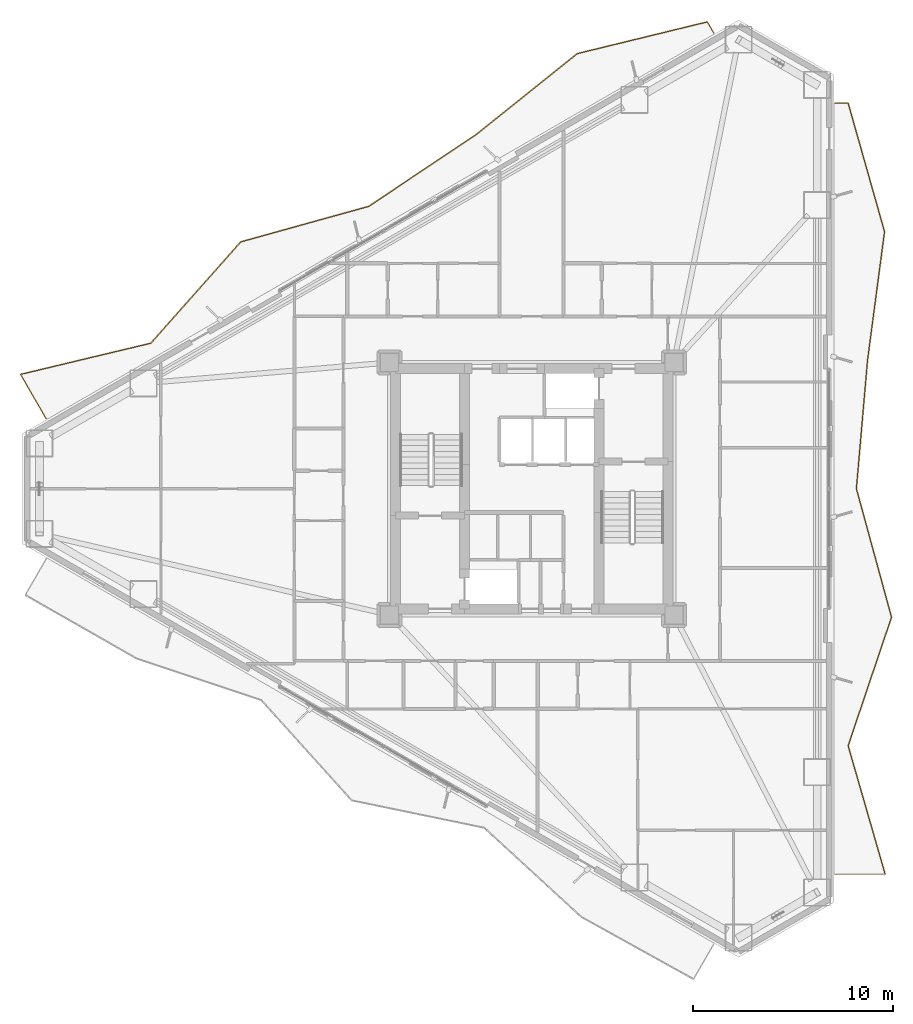
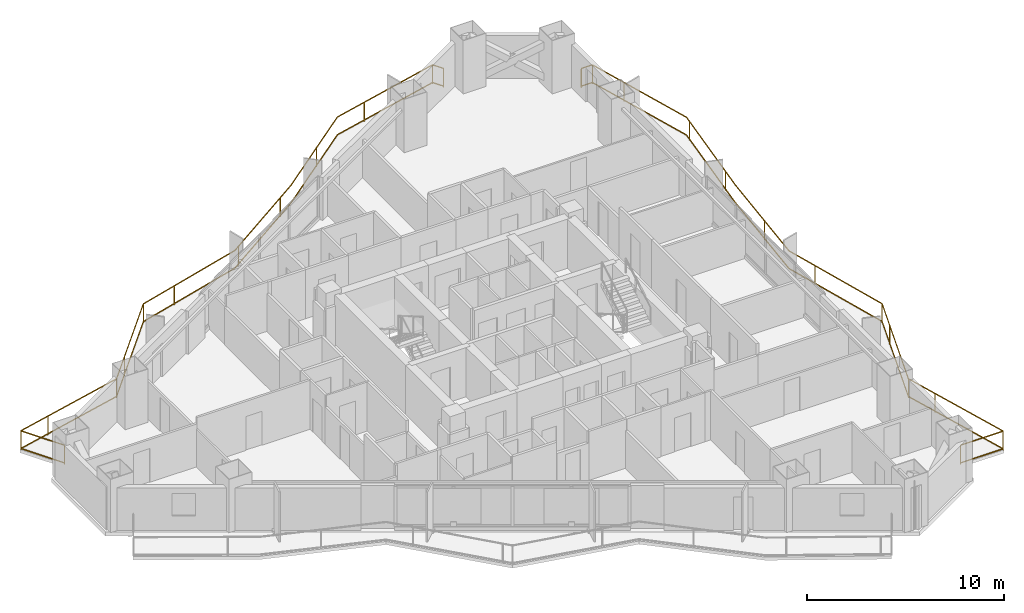
# One storey, part 19 of 19: 2 railings.
"""IFC4 building model written with IfcOpenShell, lengths in metres."""

from ifc_helpers import new_model, si_unit, direction, frame, origin, origin_2d, place, context, subcontext, project, spatial, rectangle, extrude, material, type_object, element, save


model = new_model("IFC4")

# Units and contexts
model_context = context("Model", 3, precision=1e-05, world=origin(), true_north=direction((0.0, 1.0)))
body_context = subcontext(model_context, "Body", "Model", "MODEL_VIEW")
ifc_project = project(units=[si_unit("LENGTHUNIT", "METRE"), si_unit("AREAUNIT", "SQUARE_METRE"), si_unit("VOLUMEUNIT", "CUBIC_METRE"), si_unit("PLANEANGLEUNIT", "RADIAN"), si_unit("MASSUNIT", "GRAM", prefix="KILO")], contexts=[model_context])

# Site, building, storey
site_placement = place(None, origin())
site = spatial("IfcSite", under=ifc_project, at=site_placement, CompositionType="ELEMENT")
building_placement = place(site_placement, origin())
building = spatial("IfcBuilding", under=site, at=building_placement, Name="Mersakhor Tower and Convention Hall", CompositionType="ELEMENT")
storey_placement = place(building_placement, frame((0.0, 0.0, 42.300048828125)))
storey = spatial("IfcBuildingStorey", under=building, at=storey_placement, Name="L11", CompositionType="ELEMENT", Elevation=42.300048828125)

# Railings
ifc_material = material(Name="Powder-coated galvanised steel and laminated glass balustrade", Category="steel")
railing_type = type_object("IfcRailingType", Name="RL-BAL-1200", PredefinedType="BALUSTRADE", material=ifc_material)
railing_1_placement = place(storey_placement, frame((38.099609375, 49.497314453125, 0.0)))
element("IfcRailing", 1, at=railing_1_placement, inside=storey, type_object=railing_type, Name="L11 Sinusoidal Balcony Balustrade F1", PredefinedType="BALUSTRADE", context=body_context, shape_type="SweptSolid", body=[
    extrude(rectangle(XDim=0.048095703125, YDim=0.048095703125, at=origin_2d()), frame((0.0, 0.0, 1.17578125), z_axis=(-0.50017749597, 0.865922902183, 0.0), x_axis=(-0.865922902183, -0.50017749597, 0.0)), (0.0, 0.0, 1.0), 0.650146484375),
    extrude(rectangle(XDim=0.048095703125, YDim=0.048095703125, at=origin_2d()), frame((0.0, 0.0, 0.080078125), z_axis=(-0.50017749597, 0.865922902183, 0.0), x_axis=(-0.865922902183, -0.50017749597, 0.0)), (0.0, 0.0, 1.0), 0.650146484375),
    extrude(rectangle(XDim=0.048095703125, YDim=0.048095703125, at=origin_2d()), frame((-0.3251953125, 0.56298828125, 1.17578125), z_axis=(-0.971480551732, -0.237119247649, 0.0), x_axis=(0.237119247649, -0.971480551732, 0.0)), (0.0, 0.0, 1.0), 6.686279296875),
    extrude(rectangle(XDim=0.048095703125, YDim=0.048095703125, at=origin_2d()), frame((-0.3251953125, 0.56298828125, 0.080078125), z_axis=(-0.971480551732, -0.237119247649, 0.0), x_axis=(0.237119247649, -0.971480551732, 0.0)), (0.0, 0.0, 1.0), 6.686279296875),
    extrude(rectangle(XDim=0.048095703125, YDim=0.048095703125, at=origin_2d()), frame((-6.82080078125, -1.0224609375, 1.17578125), z_axis=(-0.780600917965, -0.625029764789, 0.0), x_axis=(0.625029764789, -0.780600917965, 0.0)), (0.0, 0.0, 1.0), 6.4921875),
    extrude(rectangle(XDim=0.048095703125, YDim=0.048095703125, at=origin_2d()), frame((-6.82080078125, -1.0224609375, 0.080078125), z_axis=(-0.780600917965, -0.625029764789, 0.0), x_axis=(0.625029764789, -0.780600917965, 0.0)), (0.0, 0.0, 1.0), 6.4921875),
    extrude(rectangle(XDim=0.048095703125, YDim=0.048095703125, at=origin_2d()), frame((-11.888671875, -5.080322265625, 1.17578125), z_axis=(-0.831816620798, -0.555050546676, 0.0), x_axis=(0.555050546676, -0.831816620798, 0.0)), (0.0, 0.0, 1.0), 6.431640625),
    extrude(rectangle(XDim=0.048095703125, YDim=0.048095703125, at=origin_2d()), frame((-11.888671875, -5.080322265625, 0.080078125), z_axis=(-0.831816620798, -0.555050546676, 0.0), x_axis=(0.555050546676, -0.831816620798, 0.0)), (0.0, 0.0, 1.0), 6.431640625),
    extrude(rectangle(XDim=0.048095703125, YDim=0.048095703125, at=origin_2d()), frame((-17.238525390625, -8.650146484375, 1.17578125), z_axis=(-0.963558000727, -0.267499493895, 0.0), x_axis=(0.267499493895, -0.963558000727, 0.0)), (0.0, 0.0, 1.0), 6.628662109375),
    extrude(rectangle(XDim=0.048095703125, YDim=0.048095703125, at=origin_2d()), frame((-17.238525390625, -8.650146484375, 0.080078125), z_axis=(-0.963558000727, -0.267499493895, 0.0), x_axis=(0.267499493895, -0.963558000727, 0.0)), (0.0, 0.0, 1.0), 6.628662109375),
    extrude(rectangle(XDim=0.048095703125, YDim=0.048095703125, at=origin_2d()), frame((-23.625732421875, -10.42333984375, 1.17578125), z_axis=(-0.663826002814, -0.747887048951, 0.0), x_axis=(0.747887048951, -0.663826002814, 0.0)), (0.0, 0.0, 1.0), 6.76416015625),
    extrude(rectangle(XDim=0.048095703125, YDim=0.048095703125, at=origin_2d()), frame((-23.625732421875, -10.42333984375, 0.080078125), z_axis=(-0.663826002814, -0.747887048951, 0.0), x_axis=(0.747887048951, -0.663826002814, 0.0)), (0.0, 0.0, 1.0), 6.76416015625),
    extrude(rectangle(XDim=0.048095703125, YDim=0.048095703125, at=origin_2d()), frame((-28.115966796875, -15.482177734375, 1.17578125), z_axis=(-0.972524173215, -0.2328019169, 0.0), x_axis=(0.2328019169, -0.972524173215, 0.0)), (0.0, 0.0, 1.0), 6.69482421875),
    extrude(rectangle(XDim=0.048095703125, YDim=0.048095703125, at=origin_2d()), frame((-28.115966796875, -15.482177734375, 0.080078125), z_axis=(-0.972524173215, -0.2328019169, 0.0), x_axis=(0.2328019169, -0.972524173215, 0.0)), (0.0, 0.0, 1.0), 6.69482421875),
    extrude(rectangle(XDim=0.048095703125, YDim=0.048095703125, at=origin_2d()), frame((-34.626953125, -17.040771484375, 1.17578125), z_axis=(0.500022914263, -0.866012173824, 0.0), x_axis=(0.866012173824, 0.500022914263, 0.0)), (0.0, 0.0, 1.0), 2.5556640625),
    extrude(rectangle(XDim=0.048095703125, YDim=0.048095703125, at=origin_2d()), frame((-34.626953125, -17.040771484375, 0.080078125), z_axis=(0.500022914263, -0.866012173824, 0.0), x_axis=(0.866012173824, 0.500022914263, 0.0)), (0.0, 0.0, 1.0), 2.5556640625),
    extrude(rectangle(XDim=0.0419921875, YDim=0.0419921875, at=origin_2d()), origin(), (0.0, 0.0, 1.0), 1.15185546875),
    extrude(rectangle(XDim=0.0419921875, YDim=0.0419921875, at=origin_2d()), frame((-0.3251953125, 0.56298828125, 0.0)), (0.0, 0.0, 1.0), 1.15185546875),
    extrude(rectangle(XDim=0.0419921875, YDim=0.0419921875, at=origin_2d()), frame((-4.98828125, -0.5751953125, 0.0)), (0.0, 0.0, 1.0), 1.15185546875),
    extrude(rectangle(XDim=0.0419921875, YDim=0.0419921875, at=origin_2d()), frame((-9.09521484375, -2.843505859375, 0.0)), (0.0, 0.0, 1.0), 1.15185546875),
    extrude(rectangle(XDim=0.0419921875, YDim=0.0419921875, at=origin_2d()), frame((-12.90478515625, -5.75830078125, 0.0)), (0.0, 0.0, 1.0), 1.15185546875),
    extrude(rectangle(XDim=0.0419921875, YDim=0.0419921875, at=origin_2d()), frame((-16.8974609375, -8.422607421875, 0.0)), (0.0, 0.0, 1.0), 1.15185546875),
    extrude(rectangle(XDim=0.0419921875, YDim=0.0419921875, at=origin_2d()), frame((-21.468505859375, -9.824462890625, 0.0)), (0.0, 0.0, 1.0), 1.15185546875),
    extrude(rectangle(XDim=0.0419921875, YDim=0.0419921875, at=origin_2d()), frame((-23.625732421875, -10.42333984375, 0.0)), (0.0, 0.0, 1.0), 1.15185546875),
    extrude(rectangle(XDim=0.0419921875, YDim=0.0419921875, at=origin_2d()), frame((-26.81201171875, -14.01318359375, 0.0)), (0.0, 0.0, 1.0), 1.15185546875),
    extrude(rectangle(XDim=0.0419921875, YDim=0.0419921875, at=origin_2d()), frame((-28.115966796875, -15.482177734375, 0.0)), (0.0, 0.0, 1.0), 1.15185546875),
    extrude(rectangle(XDim=0.0419921875, YDim=0.0419921875, at=origin_2d()), frame((-32.7841796875, -16.599609375, 0.0)), (0.0, 0.0, 1.0), 1.15185546875),
    extrude(rectangle(XDim=0.0419921875, YDim=0.0419921875, at=origin_2d()), frame((-34.626953125, -17.040771484375, 0.0)), (0.0, 0.0, 1.0), 1.15185546875),
    extrude(rectangle(XDim=0.0419921875, YDim=0.0419921875, at=origin_2d()), frame((-33.34912109375, -19.25390625, 0.0)), (0.0, 0.0, 1.0), 1.15185546875),
])
railing_2_placement = place(storey_placement, frame((44.14990234375, 7.49609375, 0.0)))
element("IfcRailing", 2, at=railing_2_placement, inside=storey, type_object=railing_type, Name="L11 Sinusoidal Balcony Balustrade F2", PredefinedType="BALUSTRADE", context=body_context, shape_type="SweptSolid", body=[
    extrude(rectangle(XDim=0.048095703125, YDim=0.048095703125, at=origin_2d()), frame((0.0, 0.0, 1.17578125), z_axis=(1.0, 0.0, 0.0), x_axis=(0.0, 1.0, 0.0)), (0.0, 0.0, 1.0), 2.500732421875),
    extrude(rectangle(XDim=0.048095703125, YDim=0.048095703125, at=origin_2d()), frame((0.0, 0.0, 0.080078125), z_axis=(1.0, 0.0, 0.0), x_axis=(0.0, 1.0, 0.0)), (0.0, 0.0, 1.0), 2.500732421875),
    extrude(rectangle(XDim=0.048095703125, YDim=0.048095703125, at=origin_2d()), frame((2.500732421875, 0.0, 1.17578125), z_axis=(-0.277056824287, 0.960853535205, 0.0), x_axis=(-0.960853535205, -0.277056824287, 0.0)), (0.0, 0.0, 1.0), 6.679443359375),
    extrude(rectangle(XDim=0.048095703125, YDim=0.048095703125, at=origin_2d()), frame((2.500732421875, 0.0, 0.080078125), z_axis=(-0.277056824287, 0.960853535205, 0.0), x_axis=(-0.960853535205, -0.277056824287, 0.0)), (0.0, 0.0, 1.0), 6.679443359375),
    extrude(rectangle(XDim=0.048095703125, YDim=0.048095703125, at=origin_2d()), frame((0.650146484375, 6.41796875, 1.17578125), z_axis=(0.319869239632, 0.94746169819, 0.0), x_axis=(-0.94746169819, 0.319869239632, 0.0)), (0.0, 0.0, 1.0), 6.77392578125),
    extrude(rectangle(XDim=0.048095703125, YDim=0.048095703125, at=origin_2d()), frame((0.650146484375, 6.41796875, 0.080078125), z_axis=(0.319869239632, 0.94746169819, 0.0), x_axis=(-0.94746169819, 0.319869239632, 0.0)), (0.0, 0.0, 1.0), 6.77392578125),
    extrude(rectangle(XDim=0.048095703125, YDim=0.048095703125, at=origin_2d()), frame((2.81689453125, 12.8359375, 1.17578125), z_axis=(-0.263648303756, 0.964618873922, 0.0), x_axis=(-0.964618873922, -0.263648303756, 0.0)), (0.0, 0.0, 1.0), 6.6533203125),
    extrude(rectangle(XDim=0.048095703125, YDim=0.048095703125, at=origin_2d()), frame((2.81689453125, 12.8359375, 0.080078125), z_axis=(-0.263648303756, 0.964618873922, 0.0), x_axis=(-0.964618873922, -0.263648303756, 0.0)), (0.0, 0.0, 1.0), 6.6533203125),
    extrude(rectangle(XDim=0.048095703125, YDim=0.048095703125, at=origin_2d()), frame((1.062744140625, 19.25390625, 1.17578125), z_axis=(0.086444818795, 0.996256640281, 0.0), x_axis=(-0.996256640281, 0.086444818795, 0.0)), (0.0, 0.0, 1.0), 6.442138671875),
    extrude(rectangle(XDim=0.048095703125, YDim=0.048095703125, at=origin_2d()), frame((1.062744140625, 19.25390625, 0.080078125), z_axis=(0.086444818795, 0.996256640281, 0.0), x_axis=(-0.996256640281, 0.086444818795, 0.0)), (0.0, 0.0, 1.0), 6.442138671875),
    extrude(rectangle(XDim=0.048095703125, YDim=0.048095703125, at=origin_2d()), frame((1.61962890625, 25.671875, 1.17578125), z_axis=(0.131086629203, 0.991370917288, 0.0), x_axis=(-0.991370917288, 0.131086629203, 0.0)), (0.0, 0.0, 1.0), 6.473876953125),
    extrude(rectangle(XDim=0.048095703125, YDim=0.048095703125, at=origin_2d()), frame((1.61962890625, 25.671875, 0.080078125), z_axis=(0.131086629203, 0.991370917288, 0.0), x_axis=(-0.991370917288, 0.131086629203, 0.0)), (0.0, 0.0, 1.0), 6.473876953125),
    extrude(rectangle(XDim=0.048095703125, YDim=0.048095703125, at=origin_2d()), frame((2.46826171875, 32.08984375, 1.17578125), z_axis=(-0.272559657382, 0.962138884552, 0.0), x_axis=(-0.962138884552, -0.272559657382, 0.0)), (0.0, 0.0, 1.0), 6.67041015625),
    extrude(rectangle(XDim=0.048095703125, YDim=0.048095703125, at=origin_2d()), frame((2.46826171875, 32.08984375, 0.080078125), z_axis=(-0.272559657382, 0.962138884552, 0.0), x_axis=(-0.962138884552, -0.272559657382, 0.0)), (0.0, 0.0, 1.0), 6.67041015625),
    extrude(rectangle(XDim=0.048095703125, YDim=0.048095703125, at=origin_2d()), frame((0.650146484375, 38.5078125, 1.17578125), z_axis=(-1.0, 0.0, 0.0), x_axis=(0.0, -1.0, 0.0)), (0.0, 0.0, 1.0), 0.650146484375),
    extrude(rectangle(XDim=0.048095703125, YDim=0.048095703125, at=origin_2d()), frame((0.650146484375, 38.5078125, 0.080078125), z_axis=(-1.0, 0.0, 0.0), x_axis=(0.0, -1.0, 0.0)), (0.0, 0.0, 1.0), 0.650146484375),
    extrude(rectangle(XDim=0.0419921875, YDim=0.0419921875, at=origin_2d()), origin(), (0.0, 0.0, 1.0), 1.15185546875),
    extrude(rectangle(XDim=0.0419921875, YDim=0.0419921875, at=origin_2d()), frame((2.500732421875, 0.0, 0.0)), (0.0, 0.0, 1.0), 1.15185546875),
    extrude(rectangle(XDim=0.0419921875, YDim=0.0419921875, at=origin_2d()), frame((1.1708984375, 4.612060546875, 0.0)), (0.0, 0.0, 1.0), 1.15185546875),
    extrude(rectangle(XDim=0.0419921875, YDim=0.0419921875, at=origin_2d()), frame((0.650146484375, 6.41796875, 0.0)), (0.0, 0.0, 1.0), 1.15185546875),
    extrude(rectangle(XDim=0.0419921875, YDim=0.0419921875, at=origin_2d()), frame((2.185546875, 10.9658203125, 0.0)), (0.0, 0.0, 1.0), 1.15185546875),
    extrude(rectangle(XDim=0.0419921875, YDim=0.0419921875, at=origin_2d()), frame((2.81689453125, 12.8359375, 0.0)), (0.0, 0.0, 1.0), 1.15185546875),
    extrude(rectangle(XDim=0.0419921875, YDim=0.0419921875, at=origin_2d()), frame((1.55126953125, 17.466064453125, 0.0)), (0.0, 0.0, 1.0), 1.15185546875),
    extrude(rectangle(XDim=0.0419921875, YDim=0.0419921875, at=origin_2d()), frame((1.3173828125, 22.189453125, 0.0)), (0.0, 0.0, 1.0), 1.15185546875),
    extrude(rectangle(XDim=0.0419921875, YDim=0.0419921875, at=origin_2d()), frame((1.79052734375, 26.965087890625, 0.0)), (0.0, 0.0, 1.0), 1.15185546875),
    extrude(rectangle(XDim=0.0419921875, YDim=0.0419921875, at=origin_2d()), frame((2.419921875, 31.7236328125, 0.0)), (0.0, 0.0, 1.0), 1.15185546875),
    extrude(rectangle(XDim=0.0419921875, YDim=0.0419921875, at=origin_2d()), frame((1.2607421875, 36.352783203125, 0.0)), (0.0, 0.0, 1.0), 1.15185546875),
    extrude(rectangle(XDim=0.0419921875, YDim=0.0419921875, at=origin_2d()), frame((0.650146484375, 38.5078125, 0.0)), (0.0, 0.0, 1.0), 1.15185546875),
    extrude(rectangle(XDim=0.0419921875, YDim=0.0419921875, at=origin_2d()), frame((0.0, 38.5078125, 0.0)), (0.0, 0.0, 1.0), 1.15185546875),
])

save(model, "model.ifc")
